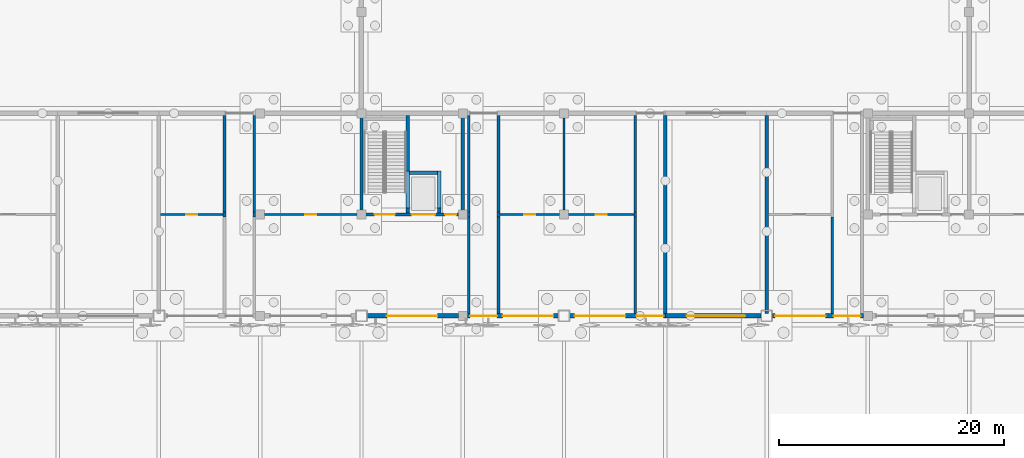
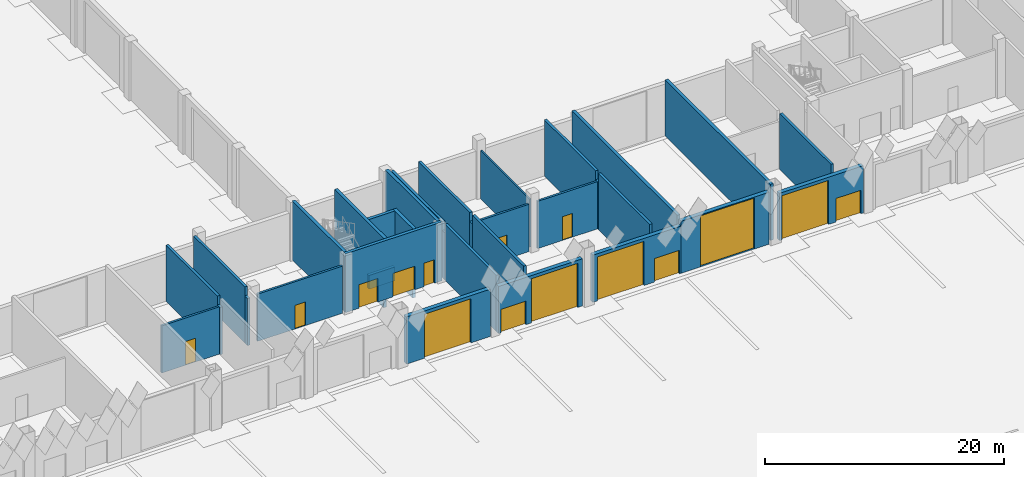
# One storey, part 86 of 198: 35 walls, 15 doors, 15 openings.
"""IFC4 building model written with IfcOpenShell, lengths in metres."""

from ifc_helpers import new_model, si_unit, direction, frame, frame_2d, origin, place, context, subcontext, project, spatial, rectangle, extrude, material, layer, layer_set, type_object, element, fill, save


model = new_model("IFC4")

# Units and contexts
model_context = context("Model", 3, precision=1e-05, world=origin(), true_north=direction((0.0, 1.0)))
body_context = subcontext(model_context, "Body", "Model", "MODEL_VIEW")
ifc_project = project(units=[si_unit("LENGTHUNIT", "METRE"), si_unit("AREAUNIT", "SQUARE_METRE"), si_unit("VOLUMEUNIT", "CUBIC_METRE"), si_unit("PLANEANGLEUNIT", "RADIAN"), si_unit("MASSUNIT", "GRAM", prefix="KILO")], contexts=[model_context])

# Site, building, storey
site_placement = place(None, origin())
site = spatial("IfcSite", under=ifc_project, at=site_placement, CompositionType="ELEMENT")
building_placement = place(site_placement, origin())
building = spatial("IfcBuilding", under=site, at=building_placement, Name="Opaline Strait Convention Centre", CompositionType="ELEMENT")
storey_placement = place(building_placement, origin())
storey = spatial("IfcBuildingStorey", under=building, at=storey_placement, Name="L00", CompositionType="ELEMENT", Elevation=0.0)

# Wall, opening, door
ifc_material_1 = material(Name="Concrete C40", Category="concrete")
ifc_layer_1 = layer(ifc_material_1, 0.25)
ifc_material_2 = material(Name="Mineral wool insulation")
ifc_layer_2 = layer(ifc_material_2, 0.10009765625)
ifc_material_3 = material(Name="Gypsum board lining")
ifc_layer_3 = layer(ifc_material_3, 0.050048828125)
ifc_layer_set_1 = layer_set([ifc_layer_1, ifc_layer_2, ifc_layer_3], Name="Concrete C40, Mineral wool insulation, Gypsum board lining")
wall_type_1 = type_object("IfcWallType", Name="External wall RC 400 insulated", PredefinedType="SOLIDWALL", material=ifc_layer_set_1)
wall_1_placement = place(storey_placement, frame((153.5, 54.0, 0.0), z_axis=(0.0, 0.0, 1.0), x_axis=(1.0, 0.0, 0.0)))
wall_1 = element("IfcWall", 1, at=wall_1_placement, inside=storey, type_object=wall_type_1, Name="External wall S7", PredefinedType="SOLIDWALL", context=body_context, shape_type="SweptSolid", body=[
    extrude(rectangle(XDim=8.10009765625, YDim=0.39990234375, at=frame_2d((4.050048828125, 0.0))), origin(), (0.0, 0.0, 1.0), 4.820068359375),
])
opening_1_placement = place(wall_1_placement, frame((1.75, 0.0, 0.0)))
opening_1 = element("IfcOpeningElement", 2, at=opening_1_placement, cuts=wall_1, Name="Opening X0-017", PredefinedType="OPENING", context=body_context, shape_type="SweptSolid", body=[
    extrude(rectangle(XDim=4.5, YDim=4.5, at=frame_2d((2.25, 2.25))), frame((0.0, 0.2099609375, 0.0), z_axis=(0.0, -1.0, 0.0), x_axis=(1.0, 0.0, 0.0)), (0.0, 0.0, 1.0), 0.419921875),
])
ifc_material_4 = material(Name="Galvanised steel Q235B", Category="steel")
door_type_1 = type_object("IfcDoorType", Name="Dock leveller door 4500 x 4500", OperationType="ROLLINGUP", PredefinedType="DOOR", material=ifc_material_4)
door_1_placement = place(opening_1_placement, origin())
door_1 = element("IfcDoor", 3, at=door_1_placement, inside=storey, type_object=door_type_1, Name="Dock leveller door 8", ObjectType="XD5", OperationType="ROLLINGUP", OverallHeight=4.5, OverallWidth=4.5, PredefinedType="DOOR", context=body_context, shape_type="SweptSolid", body=[
    extrude(rectangle(XDim=4.5, YDim=4.5, at=frame_2d((2.25, 2.25))), frame((0.0, 0.02490234375, 0.0), z_axis=(0.0, -1.0, 0.0), x_axis=(1.0, 0.0, 0.0)), (0.0, 0.0, 1.0), 0.050048828125),
])
fill(opening_1, door_1)

# Wall, openings, doors
wall_2_placement = place(storey_placement, frame((162.39990234375, 54.0, 0.0), z_axis=(0.0, 0.0, 1.0), x_axis=(1.0, 0.0, 0.0)))
wall_2 = element("IfcWall", 4, at=wall_2_placement, inside=storey, type_object=wall_type_1, Name="External wall S8", PredefinedType="SOLIDWALL", context=body_context, shape_type="SweptSolid", body=[
    extrude(rectangle(XDim=8.10009765625, YDim=0.39990234375, at=frame_2d((4.050048828125, 0.0))), origin(), (0.0, 0.0, 1.0), 4.820068359375),
])
opening_2_placement = place(wall_2_placement, frame((3.14990234375, 0.0, 0.0)))
opening_2 = element("IfcOpeningElement", 5, at=opening_2_placement, cuts=wall_2, Name="Opening X0-018", PredefinedType="OPENING", context=body_context, shape_type="SweptSolid", body=[
    extrude(rectangle(XDim=4.5, YDim=4.5, at=frame_2d((2.25, 2.25))), frame((0.0, 0.2099609375, 0.0), z_axis=(0.0, -1.0, 0.0), x_axis=(1.0, 0.0, 0.0)), (0.0, 0.0, 1.0), 0.419921875),
])
opening_3_placement = place(wall_2_placement, frame((0.25, 0.0, 0.0)))
opening_3 = element("IfcOpeningElement", 6, at=opening_3_placement, cuts=wall_2, Name="Opening X0-030", PredefinedType="OPENING", context=body_context, shape_type="SweptSolid", body=[
    extrude(rectangle(XDim=2.39990234375, YDim=2.39990234375, at=frame_2d((1.199951171875, 1.199951171875))), frame((0.0, 0.2099609375, 0.0), z_axis=(0.0, -1.0, 0.0), x_axis=(1.0, 0.0, 0.0)), (0.0, 0.0, 1.0), 0.419921875),
])
door_2_placement = place(opening_2_placement, origin())
door_2 = element("IfcDoor", 7, at=door_2_placement, inside=storey, type_object=door_type_1, Name="Dock leveller door 9", ObjectType="XD5", OperationType="ROLLINGUP", OverallHeight=4.5, OverallWidth=4.5, PredefinedType="DOOR", context=body_context, shape_type="SweptSolid", body=[
    extrude(rectangle(XDim=4.5, YDim=4.5, at=frame_2d((2.25, 2.25))), frame((0.0, 0.02490234375, 0.0), z_axis=(0.0, -1.0, 0.0), x_axis=(1.0, 0.0, 0.0)), (0.0, 0.0, 1.0), 0.050048828125),
])
fill(opening_2, door_2)
ifc_material_5 = material(Name="Steel Q235B", Category="steel")
door_type_2 = type_object("IfcDoorType", Name="Passage exit door pair 2400 x 2400", OperationType="DOUBLE_DOOR_SINGLE_SWING", PredefinedType="DOOR", material=ifc_material_5)
door_3_placement = place(opening_3_placement, frame((2.39990234375, 0.0, 0.0), z_axis=(0.0, 0.0, 1.0), x_axis=(-1.0, 0.0, 0.0)))
door_3 = element("IfcDoor", 8, at=door_3_placement, inside=storey, type_object=door_type_2, Name="Passage exit door 2", ObjectType="XD15", OperationType="DOUBLE_DOOR_SINGLE_SWING", OverallHeight=2.39990234375, OverallWidth=2.39990234375, PredefinedType="DOOR", context=body_context, shape_type="SweptSolid", body=[
    extrude(rectangle(XDim=2.39990234375, YDim=2.39990234375, at=frame_2d((1.199951171875, 1.199951171875))), frame((0.0, 0.02490234375, 0.0), z_axis=(0.0, -1.0, 0.0), x_axis=(1.0, 0.0, 0.0)), (0.0, 0.0, 1.0), 0.050048828125),
])
fill(opening_3, door_3)

wall_3_placement = place(storey_placement, frame((171.5, 54.0, 0.0), z_axis=(0.0, 0.0, 1.0), x_axis=(1.0, 0.0, 0.0)))
wall_3 = element("IfcWall", 9, at=wall_3_placement, inside=storey, type_object=wall_type_1, Name="External wall S9", PredefinedType="SOLIDWALL", context=body_context, shape_type="SweptSolid", body=[
    extrude(rectangle(XDim=8.5, YDim=0.39990234375, at=frame_2d((4.25, 0.0))), origin(), (0.0, 0.0, 1.0), 4.820068359375),
])
opening_4_placement = place(wall_3_placement, frame((0.449951171875, 0.0, 0.0)))
opening_4 = element("IfcOpeningElement", 10, at=opening_4_placement, cuts=wall_3, Name="Opening X0-019", PredefinedType="OPENING", context=body_context, shape_type="SweptSolid", body=[
    extrude(rectangle(XDim=4.5, YDim=4.5, at=frame_2d((2.25, 2.25))), frame((0.0, 0.2099609375, 0.0), z_axis=(0.0, -1.0, 0.0), x_axis=(1.0, 0.0, 0.0)), (0.0, 0.0, 1.0), 0.419921875),
])
opening_5_placement = place(wall_3_placement, frame((5.949951171875, 0.0, 0.0)))
opening_5 = element("IfcOpeningElement", 11, at=opening_5_placement, cuts=wall_3, Name="Opening X0-031", PredefinedType="OPENING", context=body_context, shape_type="SweptSolid", body=[
    extrude(rectangle(XDim=2.39990234375, YDim=2.39990234375, at=frame_2d((1.199951171875, 1.199951171875))), frame((0.0, 0.2099609375, 0.0), z_axis=(0.0, -1.0, 0.0), x_axis=(1.0, 0.0, 0.0)), (0.0, 0.0, 1.0), 0.419921875),
])
door_4_placement = place(opening_4_placement, origin())
door_4 = element("IfcDoor", 12, at=door_4_placement, inside=storey, type_object=door_type_1, Name="Dock leveller door 10", ObjectType="XD5", OperationType="ROLLINGUP", OverallHeight=4.5, OverallWidth=4.5, PredefinedType="DOOR", context=body_context, shape_type="SweptSolid", body=[
    extrude(rectangle(XDim=4.5, YDim=4.5, at=frame_2d((2.25, 2.25))), frame((0.0, 0.02490234375, 0.0), z_axis=(0.0, -1.0, 0.0), x_axis=(1.0, 0.0, 0.0)), (0.0, 0.0, 1.0), 0.050048828125),
])
fill(opening_4, door_4)
door_5_placement = place(opening_5_placement, frame((2.39990234375, 0.0, 0.0), z_axis=(0.0, 0.0, 1.0), x_axis=(-1.0, 0.0, 0.0)))
door_5 = element("IfcDoor", 13, at=door_5_placement, inside=storey, type_object=door_type_2, Name="Passage exit door 3", ObjectType="XD15", OperationType="DOUBLE_DOOR_SINGLE_SWING", OverallHeight=2.39990234375, OverallWidth=2.39990234375, PredefinedType="DOOR", context=body_context, shape_type="SweptSolid", body=[
    extrude(rectangle(XDim=2.39990234375, YDim=2.39990234375, at=frame_2d((1.199951171875, 1.199951171875))), frame((0.0, 0.02490234375, 0.0), z_axis=(0.0, -1.0, 0.0), x_axis=(1.0, 0.0, 0.0)), (0.0, 0.0, 1.0), 0.050048828125),
])
fill(opening_5, door_5)

# Wall, opening, door
wall_4_placement = place(storey_placement, frame((180.0, 54.0, 0.0), z_axis=(0.0, 0.0, 1.0), x_axis=(1.0, 0.0, 0.0)))
wall_4 = element("IfcWall", 14, at=wall_4_placement, inside=storey, type_object=wall_type_1, Name="External wall S10", PredefinedType="SOLIDWALL", context=body_context, shape_type="SweptSolid", body=[
    extrude(rectangle(XDim=8.5, YDim=0.39990234375, at=frame_2d((4.25, 0.0))), origin(), (0.0, 0.0, 1.0), 5.300048828125),
])
opening_6_placement = place(wall_4_placement, frame((1.89990234375, 0.0, 0.0)))
opening_6 = element("IfcOpeningElement", 15, at=opening_6_placement, cuts=wall_4, Name="Opening X0-020", PredefinedType="OPENING", context=body_context, shape_type="SweptSolid", body=[
    extrude(rectangle(XDim=5.199951171875, YDim=5.199951171875, at=frame_2d((2.60009765625, 2.60009765625))), frame((0.0, 0.2099609375, 0.0), z_axis=(0.0, -1.0, 0.0), x_axis=(1.0, 0.0, 0.0)), (0.0, 0.0, 1.0), 0.419921875),
])
door_type_3 = type_object("IfcDoorType", Name="Freight door 5200 x 5200", OperationType="ROLLINGUP", PredefinedType="DOOR", material=ifc_material_4)
door_6_placement = place(opening_6_placement, origin())
door_6 = element("IfcDoor", 16, at=door_6_placement, inside=storey, type_object=door_type_3, Name="Freight door tunnel 11", ObjectType="XD4", OperationType="ROLLINGUP", OverallHeight=5.199951171875, OverallWidth=5.199951171875, PredefinedType="DOOR", context=body_context, shape_type="SweptSolid", body=[
    extrude(rectangle(XDim=5.199951171875, YDim=5.199951171875, at=frame_2d((2.60009765625, 2.60009765625))), frame((0.0, 0.02490234375, 0.0), z_axis=(0.0, -1.0, 0.0), x_axis=(1.0, 0.0, 0.0)), (0.0, 0.0, 1.0), 0.050048828125),
])
fill(opening_6, door_6)

# Wall, openings, doors
wall_5_placement = place(storey_placement, frame((189.5, 54.0, 0.0), z_axis=(0.0, 0.0, 1.0), x_axis=(1.0, 0.0, 0.0)))
wall_5 = element("IfcWall", 17, at=wall_5_placement, inside=storey, type_object=wall_type_1, Name="External wall S11", PredefinedType="SOLIDWALL", context=body_context, shape_type="SweptSolid", body=[
    extrude(rectangle(XDim=8.10009765625, YDim=0.39990234375, at=frame_2d((4.050048828125, 0.0))), origin(), (0.0, 0.0, 1.0), 4.820068359375),
])
opening_7_placement = place(wall_5_placement, frame((0.25, 0.0, 0.0)))
opening_7 = element("IfcOpeningElement", 18, at=opening_7_placement, cuts=wall_5, Name="Opening X0-021", PredefinedType="OPENING", context=body_context, shape_type="SweptSolid", body=[
    extrude(rectangle(XDim=4.5, YDim=4.5, at=frame_2d((2.25, 2.25))), frame((0.0, 0.2099609375, 0.0), z_axis=(0.0, -1.0, 0.0), x_axis=(1.0, 0.0, 0.0)), (0.0, 0.0, 1.0), 0.419921875),
])
opening_8_placement = place(wall_5_placement, frame((5.449951171875, 0.0, 0.0)))
opening_8 = element("IfcOpeningElement", 19, at=opening_8_placement, cuts=wall_5, Name="Opening X0-032", PredefinedType="OPENING", context=body_context, shape_type="SweptSolid", body=[
    extrude(rectangle(XDim=2.39990234375, YDim=2.39990234375, at=frame_2d((1.199951171875, 1.199951171875))), frame((0.0, 0.2099609375, 0.0), z_axis=(0.0, -1.0, 0.0), x_axis=(1.0, 0.0, 0.0)), (0.0, 0.0, 1.0), 0.419921875),
])
door_7_placement = place(opening_7_placement, origin())
door_7 = element("IfcDoor", 20, at=door_7_placement, inside=storey, type_object=door_type_1, Name="Dock leveller door 12", ObjectType="XD5", OperationType="ROLLINGUP", OverallHeight=4.5, OverallWidth=4.5, PredefinedType="DOOR", context=body_context, shape_type="SweptSolid", body=[
    extrude(rectangle(XDim=4.5, YDim=4.5, at=frame_2d((2.25, 2.25))), frame((0.0, 0.02490234375, 0.0), z_axis=(0.0, -1.0, 0.0), x_axis=(1.0, 0.0, 0.0)), (0.0, 0.0, 1.0), 0.050048828125),
])
fill(opening_7, door_7)
door_8_placement = place(opening_8_placement, frame((2.39990234375, 0.0, 0.0), z_axis=(0.0, 0.0, 1.0), x_axis=(-1.0, 0.0, 0.0)))
door_8 = element("IfcDoor", 21, at=door_8_placement, inside=storey, type_object=door_type_2, Name="Passage exit door 4", ObjectType="XD15", OperationType="DOUBLE_DOOR_SINGLE_SWING", OverallHeight=2.39990234375, OverallWidth=2.39990234375, PredefinedType="DOOR", context=body_context, shape_type="SweptSolid", body=[
    extrude(rectangle(XDim=2.39990234375, YDim=2.39990234375, at=frame_2d((1.199951171875, 1.199951171875))), frame((0.0, 0.02490234375, 0.0), z_axis=(0.0, -1.0, 0.0), x_axis=(1.0, 0.0, 0.0)), (0.0, 0.0, 1.0), 0.050048828125),
])
fill(opening_8, door_8)

# Walls
ifc_layer_4 = layer(ifc_material_1, 0.300048828125)
ifc_layer_set_2 = layer_set([ifc_layer_4], Name="Concrete C40")
wall_type_2 = type_object("IfcWallType", Name="Lift pit wall RC 300 C40", PredefinedType="SHEAR", material=ifc_layer_set_2)
for number, where, z_axis, x_axis, name in (
    (22, (157.10009765625, 63.60009765625, -1.39990234375), (0.0, 0.0, 1.0), (0.0, 1.0, 0.0), "EXB-LPW-2-W"),
    (23, (159.89990234375, 63.60009765625, -1.39990234375), (0.0, 0.0, 1.0), (0.0, 1.0, 0.0), "EXB-LPW-2-E"),
):
    element("IfcWall", number, at=place(storey_placement, frame(where, z_axis=z_axis, x_axis=x_axis)), inside=storey, type_object=wall_type_2, Name=name, PredefinedType="SHEAR", context=body_context, shape_type="SweptSolid", body=[
        extrude(rectangle(XDim=3.25, YDim=0.300048828125, at=frame_2d((1.625, 0.0))), origin(), (0.0, 0.0, 1.0), 1.39990234375),
    ])
wall_6_placement = place(storey_placement, frame((157.25, 66.699951171875, -1.39990234375), z_axis=(0.0, 0.0, 1.0), x_axis=(1.0, 0.0, 0.0)))
element("IfcWall", 24, at=wall_6_placement, inside=storey, type_object=wall_type_2, Name="EXB-LPW-2-N", PredefinedType="SHEAR", context=body_context, shape_type="SweptSolid", body=[
    extrude(rectangle(XDim=2.5, YDim=0.300048828125, at=frame_2d((1.25, 0.0))), origin(), (0.0, 0.0, 1.0), 1.39990234375),
])
ifc_layer_5 = layer(ifc_material_1, 0.300048828125)
ifc_layer_set_3 = layer_set([ifc_layer_5], Name="Concrete C40")
wall_type_3 = type_object("IfcWallType", Name="Lift shaft wall RC 300 C40", PredefinedType="SHEAR", material=ifc_layer_set_3)
wall_7_placement = place(storey_placement, frame((157.10009765625, 63.14990234375, 0.0), z_axis=(0.0, 0.0, 1.0), x_axis=(0.0, 1.0, 0.0)))
element("IfcWall", 25, at=wall_7_placement, inside=storey, type_object=wall_type_3, Name="EXB-LS-2-W1-L00", PredefinedType="SHEAR", context=body_context, shape_type="SweptSolid", body=[
    extrude(rectangle(XDim=8.650146484375, YDim=0.300048828125, at=frame_2d((4.3251953125, 0.0))), origin(), (0.0, 0.0, 1.0), 5.719970703125),
])
wall_8_placement = place(storey_placement, frame((159.89990234375, 63.14990234375, 0.0), z_axis=(0.0, 0.0, 1.0), x_axis=(0.0, 1.0, 0.0)))
element("IfcWall", 26, at=wall_8_placement, inside=storey, type_object=wall_type_3, Name="EXB-LS-2-W2-L00", PredefinedType="SHEAR", context=body_context, shape_type="SweptSolid", body=[
    extrude(rectangle(XDim=3.7001953125, YDim=0.300048828125, at=frame_2d((1.85009765625, 0.0))), origin(), (0.0, 0.0, 1.0), 5.719970703125),
])
wall_9_placement = place(storey_placement, frame((157.25, 66.699951171875, 0.0), z_axis=(0.0, 0.0, 1.0), x_axis=(1.0, 0.0, 0.0)))
element("IfcWall", 27, at=wall_9_placement, inside=storey, type_object=wall_type_3, Name="EXB-LS-2-N-L00", PredefinedType="SHEAR", context=body_context, shape_type="SweptSolid", body=[
    extrude(rectangle(XDim=2.5, YDim=0.300048828125, at=frame_2d((1.25, 0.0))), origin(), (0.0, 0.0, 1.0), 5.719970703125),
])
ifc_material_6 = material(Name="Lightweight blockwork", Category="masonry")
ifc_layer_6 = layer(ifc_material_6, 0.25)
ifc_layer_set_4 = layer_set([ifc_layer_6], Name="Lightweight blockwork")
wall_type_4 = type_object("IfcWallType", Name="Partition EI 120 blockwork 250", PredefinedType="PARTITIONING", material=ifc_layer_set_4)
wall_10_placement = place(storey_placement, frame((140.824951171875, 62.77490234375, 0.0), z_axis=(0.0, 0.0, 1.0), x_axis=(0.0, 1.0, 0.0)))
element("IfcWall", 28, at=wall_10_placement, inside=storey, type_object=wall_type_4, Name="Exit passage 1 wall", PredefinedType="PARTITIONING", context=body_context, shape_type="SweptSolid", body=[
    extrude(rectangle(XDim=0.4501953125, YDim=0.25, at=frame_2d((0.22509765625, 0.0))), origin(), (0.0, 0.0, 1.0), 4.820068359375),
])
wall_11_placement = place(storey_placement, frame((140.824951171875, 63.22509765625, 0.0), z_axis=(0.0, 0.0, 1.0), x_axis=(0.0, 1.0, 0.0)))
element("IfcWall", 29, at=wall_11_placement, inside=storey, type_object=wall_type_4, Name="Exit passage 1 wall", PredefinedType="PARTITIONING", context=body_context, shape_type="SweptSolid", body=[
    extrude(rectangle(XDim=8.574951171875, YDim=0.25, at=frame_2d((4.28759765625, 0.0))), origin(), (0.0, 0.0, 1.0), 5.719970703125),
])
wall_12_placement = place(storey_placement, frame((143.47509765625, 62.77490234375, 0.0), z_axis=(0.0, 0.0, 1.0), x_axis=(0.0, 1.0, 0.0)))
element("IfcWall", 30, at=wall_12_placement, inside=storey, type_object=wall_type_4, Name="Exit passage 1 wall", PredefinedType="PARTITIONING", context=body_context, shape_type="SweptSolid", body=[
    extrude(rectangle(XDim=0.4501953125, YDim=0.25, at=frame_2d((0.22509765625, 0.0))), origin(), (0.0, 0.0, 1.0), 4.820068359375),
])
for number, where, z_axis, x_axis, name in (
    (31, (143.47509765625, 63.22509765625, 0.0), (0.0, 0.0, 1.0), (0.0, 1.0, 0.0), "Exit passage 1 wall"),
    (32, (162.52490234375, 54.199951171875, 0.0), (0.0, 0.0, 1.0), (0.0, 1.0, 0.0), "Exit passage 2 wall"),
):
    element("IfcWall", number, at=place(storey_placement, frame(where, z_axis=z_axis, x_axis=x_axis)), inside=storey, type_object=wall_type_4, Name=name, PredefinedType="PARTITIONING", context=body_context, shape_type="SweptSolid", body=[
        extrude(rectangle(XDim=8.574951171875, YDim=0.25, at=frame_2d((4.28759765625, 0.0))), origin(), (0.0, 0.0, 1.0), 5.719970703125),
    ])
wall_13_placement = place(storey_placement, frame((162.52490234375, 62.77490234375, 0.0), z_axis=(0.0, 0.0, 1.0), x_axis=(0.0, 1.0, 0.0)))
element("IfcWall", 33, at=wall_13_placement, inside=storey, type_object=wall_type_4, Name="Exit passage 2 wall", PredefinedType="PARTITIONING", context=body_context, shape_type="SweptSolid", body=[
    extrude(rectangle(XDim=0.4501953125, YDim=0.25, at=frame_2d((0.22509765625, 0.0))), origin(), (0.0, 0.0, 1.0), 4.820068359375),
])
for number, where, z_axis, x_axis, name in (
    (34, (162.52490234375, 63.22509765625, 0.0), (0.0, 0.0, 1.0), (0.0, 1.0, 0.0), "Exit passage 2 wall"),
    (35, (165.175048828125, 54.199951171875, 0.0), (0.0, 0.0, 1.0), (0.0, 1.0, 0.0), "Exit passage 2 wall"),
):
    element("IfcWall", number, at=place(storey_placement, frame(where, z_axis=z_axis, x_axis=x_axis)), inside=storey, type_object=wall_type_4, Name=name, PredefinedType="PARTITIONING", context=body_context, shape_type="SweptSolid", body=[
        extrude(rectangle(XDim=8.574951171875, YDim=0.25, at=frame_2d((4.28759765625, 0.0))), origin(), (0.0, 0.0, 1.0), 5.719970703125),
    ])
wall_14_placement = place(storey_placement, frame((165.175048828125, 62.77490234375, 0.0), z_axis=(0.0, 0.0, 1.0), x_axis=(0.0, 1.0, 0.0)))
element("IfcWall", 36, at=wall_14_placement, inside=storey, type_object=wall_type_4, Name="Exit passage 2 wall", PredefinedType="PARTITIONING", context=body_context, shape_type="SweptSolid", body=[
    extrude(rectangle(XDim=0.4501953125, YDim=0.25, at=frame_2d((0.22509765625, 0.0))), origin(), (0.0, 0.0, 1.0), 4.820068359375),
])
for number, where, z_axis, x_axis, name in (
    (37, (165.175048828125, 63.22509765625, 0.0), (0.0, 0.0, 1.0), (0.0, 1.0, 0.0), "Exit passage 2 wall"),
    (38, (177.324951171875, 54.199951171875, 0.0), (0.0, 0.0, 1.0), (0.0, 1.0, 0.0), "Exit passage 3 wall"),
):
    element("IfcWall", number, at=place(storey_placement, frame(where, z_axis=z_axis, x_axis=x_axis)), inside=storey, type_object=wall_type_4, Name=name, PredefinedType="PARTITIONING", context=body_context, shape_type="SweptSolid", body=[
        extrude(rectangle(XDim=8.574951171875, YDim=0.25, at=frame_2d((4.28759765625, 0.0))), origin(), (0.0, 0.0, 1.0), 5.719970703125),
    ])
wall_15_placement = place(storey_placement, frame((177.324951171875, 62.77490234375, 0.0), z_axis=(0.0, 0.0, 1.0), x_axis=(0.0, 1.0, 0.0)))
element("IfcWall", 39, at=wall_15_placement, inside=storey, type_object=wall_type_4, Name="Exit passage 3 wall", PredefinedType="PARTITIONING", context=body_context, shape_type="SweptSolid", body=[
    extrude(rectangle(XDim=0.4501953125, YDim=0.25, at=frame_2d((0.22509765625, 0.0))), origin(), (0.0, 0.0, 1.0), 4.820068359375),
])
for number, where, z_axis, x_axis, name in (
    (40, (177.324951171875, 63.22509765625, 0.0), (0.0, 0.0, 1.0), (0.0, 1.0, 0.0), "Exit passage 3 wall"),
    (41, (194.824951171875, 54.199951171875, 0.0), (0.0, 0.0, 1.0), (0.0, 1.0, 0.0), "Exit passage 4 wall"),
):
    element("IfcWall", number, at=place(storey_placement, frame(where, z_axis=z_axis, x_axis=x_axis)), inside=storey, type_object=wall_type_4, Name=name, PredefinedType="PARTITIONING", context=body_context, shape_type="SweptSolid", body=[
        extrude(rectangle(XDim=8.574951171875, YDim=0.25, at=frame_2d((4.28759765625, 0.0))), origin(), (0.0, 0.0, 1.0), 5.719970703125),
    ])
ifc_layer_7 = layer(ifc_material_6, 0.14990234375)
ifc_layer_set_5 = layer_set([ifc_layer_7], Name="Lightweight blockwork")
wall_type_5 = type_object("IfcWallType", Name="Partition EI 45 blockwork 150", PredefinedType="PARTITIONING", material=ifc_layer_set_5)
wall_16_placement = place(storey_placement, frame((171.0, 63.39990234375, 0.0), z_axis=(0.0, 0.0, 1.0), x_axis=(0.0, 1.0, 0.0)))
element("IfcWall", 42, at=wall_16_placement, inside=storey, type_object=wall_type_5, Name="Back row partition", PredefinedType="PARTITIONING", context=body_context, shape_type="SweptSolid", body=[
    extrude(rectangle(XDim=8.2001953125, YDim=0.14990234375, at=frame_2d((4.10009765625, 0.0))), origin(), (0.0, 0.0, 1.0), 4.919921875),
])

# Wall, opening, door
ifc_layer_8 = layer(ifc_material_6, 0.199951171875)
ifc_layer_set_6 = layer_set([ifc_layer_8], Name="Lightweight blockwork")
wall_type_6 = type_object("IfcWallType", Name="Partition EI 60 blockwork 200", PredefinedType="PARTITIONING", material=ifc_layer_set_6)
wall_17_placement = place(storey_placement, frame((135.14990234375, 63.0, 0.0), z_axis=(0.0, 0.0, 1.0), x_axis=(1.0, 0.0, 0.0)))
wall_17 = element("IfcWall", 43, at=wall_17_placement, inside=storey, type_object=wall_type_6, Name="Dock wall to the back row", PredefinedType="PARTITIONING", context=body_context, shape_type="SweptSolid", body=[
    extrude(rectangle(XDim=5.550048828125, YDim=0.199951171875, at=frame_2d((2.77490234375, 0.0))), origin(), (0.0, 0.0, 1.0), 4.820068359375),
])
opening_9_placement = place(wall_17_placement, frame((2.27490234375, 0.0, 0.014892578125)))
opening_9 = element("IfcOpeningElement", 44, at=opening_9_placement, cuts=wall_17, Name="Opening X0-092", PredefinedType="OPENING", context=body_context, shape_type="SweptSolid", body=[
    extrude(rectangle(XDim=1.0, YDim=2.39990234375, at=frame_2d((0.5, 1.199951171875))), frame((0.0, 0.10986328125, 0.0), z_axis=(0.0, -1.0, 0.0), x_axis=(1.0, 0.0, 0.0)), (0.0, 0.0, 1.0), 0.219970703125),
])
door_type_4 = type_object("IfcDoorType", Name="Single door FD30 1000 x 2400", OperationType="SINGLE_SWING_LEFT", PredefinedType="DOOR", material=ifc_material_5)
door_9_placement = place(opening_9_placement, origin())
door_9 = element("IfcDoor", 45, at=door_9_placement, inside=storey, type_object=door_type_4, Name="Exhibitor Store West 1 door", ObjectType="XD8", OperationType="SINGLE_SWING_LEFT", OverallHeight=2.39990234375, OverallWidth=1.0, PredefinedType="DOOR", context=body_context, shape_type="SweptSolid", body=[
    extrude(rectangle(XDim=1.0, YDim=2.39990234375, at=frame_2d((0.5, 1.199951171875))), frame((0.0, 0.02490234375, 0.0), z_axis=(0.0, -1.0, 0.0), x_axis=(1.0, 0.0, 0.0)), (0.0, 0.0, 1.0), 0.050048828125),
])
fill(opening_9, door_9)

wall_18_placement = place(storey_placement, frame((144.39990234375, 63.0, 0.0), z_axis=(0.0, 0.0, 1.0), x_axis=(1.0, 0.0, 0.0)))
wall_18 = element("IfcWall", 46, at=wall_18_placement, inside=storey, type_object=wall_type_6, Name="Dock wall to the back row", PredefinedType="PARTITIONING", context=body_context, shape_type="SweptSolid", body=[
    extrude(rectangle(XDim=8.2001953125, YDim=0.199951171875, at=frame_2d((4.10009765625, 0.0))), origin(), (0.0, 0.0, 1.0), 4.820068359375),
])
opening_10_placement = place(wall_18_placement, frame((3.60009765625, 0.0, 0.014892578125)))
opening_10 = element("IfcOpeningElement", 47, at=opening_10_placement, cuts=wall_18, Name="Opening X0-093", PredefinedType="OPENING", context=body_context, shape_type="SweptSolid", body=[
    extrude(rectangle(XDim=1.0, YDim=2.39990234375, at=frame_2d((0.5, 1.199951171875))), frame((0.0, 0.10986328125, 0.0), z_axis=(0.0, -1.0, 0.0), x_axis=(1.0, 0.0, 0.0)), (0.0, 0.0, 1.0), 0.219970703125),
])
door_10_placement = place(opening_10_placement, origin())
door_10 = element("IfcDoor", 48, at=door_10_placement, inside=storey, type_object=door_type_4, Name="Exhibitor Store West 2 door", ObjectType="XD8", OperationType="SINGLE_SWING_RIGHT", OverallHeight=2.39990234375, OverallWidth=1.0, PredefinedType="DOOR", context=body_context, shape_type="SweptSolid", body=[
    extrude(rectangle(XDim=1.0, YDim=2.39990234375, at=frame_2d((0.5, 1.199951171875))), frame((0.0, 0.02490234375, 0.0), z_axis=(0.0, -1.0, 0.0), x_axis=(1.0, 0.0, 0.0)), (0.0, 0.0, 1.0), 0.050048828125),
])
fill(opening_10, door_10)

wall_19_placement = place(storey_placement, frame((165.300048828125, 63.0, 0.0), z_axis=(0.0, 0.0, 1.0), x_axis=(1.0, 0.0, 0.0)))
wall_19 = element("IfcWall", 49, at=wall_19_placement, inside=storey, type_object=wall_type_6, Name="Dock wall to the back row", PredefinedType="PARTITIONING", context=body_context, shape_type="SweptSolid", body=[
    extrude(rectangle(XDim=5.300048828125, YDim=0.199951171875, at=frame_2d((2.64990234375, 0.0))), origin(), (0.0, 0.0, 1.0), 4.820068359375),
])
opening_11_placement = place(wall_19_placement, frame((2.14990234375, 0.0, 0.014892578125)))
opening_11 = element("IfcOpeningElement", 50, at=opening_11_placement, cuts=wall_19, Name="Opening X0-094", PredefinedType="OPENING", context=body_context, shape_type="SweptSolid", body=[
    extrude(rectangle(XDim=1.0, YDim=2.39990234375, at=frame_2d((0.5, 1.199951171875))), frame((0.0, 0.10986328125, 0.0), z_axis=(0.0, -1.0, 0.0), x_axis=(1.0, 0.0, 0.0)), (0.0, 0.0, 1.0), 0.219970703125),
])
door_11_placement = place(opening_11_placement, origin())
door_11 = element("IfcDoor", 51, at=door_11_placement, inside=storey, type_object=door_type_4, Name="Waste Room door", ObjectType="XD8", OperationType="SINGLE_SWING_LEFT", OverallHeight=2.39990234375, OverallWidth=1.0, PredefinedType="DOOR", context=body_context, shape_type="SweptSolid", body=[
    extrude(rectangle(XDim=1.0, YDim=2.39990234375, at=frame_2d((0.5, 1.199951171875))), frame((0.0, 0.02490234375, 0.0), z_axis=(0.0, -1.0, 0.0), x_axis=(1.0, 0.0, 0.0)), (0.0, 0.0, 1.0), 0.050048828125),
])
fill(opening_11, door_11)

wall_20_placement = place(storey_placement, frame((171.39990234375, 63.0, 0.0), z_axis=(0.0, 0.0, 1.0), x_axis=(1.0, 0.0, 0.0)))
wall_20 = element("IfcWall", 52, at=wall_20_placement, inside=storey, type_object=wall_type_6, Name="Dock wall to the back row", PredefinedType="PARTITIONING", context=body_context, shape_type="SweptSolid", body=[
    extrude(rectangle(XDim=5.800048828125, YDim=0.199951171875, at=frame_2d((2.89990234375, 0.0))), origin(), (0.0, 0.0, 1.0), 4.820068359375),
])
opening_12_placement = place(wall_20_placement, frame((2.39990234375, 0.0, 0.014892578125)))
opening_12 = element("IfcOpeningElement", 53, at=opening_12_placement, cuts=wall_20, Name="Opening X0-095", PredefinedType="OPENING", context=body_context, shape_type="SweptSolid", body=[
    extrude(rectangle(XDim=1.0, YDim=2.39990234375, at=frame_2d((0.5, 1.199951171875))), frame((0.0, 0.10986328125, 0.0), z_axis=(0.0, -1.0, 0.0), x_axis=(1.0, 0.0, 0.0)), (0.0, 0.0, 1.0), 0.219970703125),
])
door_12_placement = place(opening_12_placement, origin())
door_12 = element("IfcDoor", 54, at=door_12_placement, inside=storey, type_object=door_type_4, Name="Cleaners Store door", ObjectType="XD8", OperationType="SINGLE_SWING_LEFT", OverallHeight=2.39990234375, OverallWidth=1.0, PredefinedType="DOOR", context=body_context, shape_type="SweptSolid", body=[
    extrude(rectangle(XDim=1.0, YDim=2.39990234375, at=frame_2d((0.5, 1.199951171875))), frame((0.0, 0.02490234375, 0.0), z_axis=(0.0, -1.0, 0.0), x_axis=(1.0, 0.0, 0.0)), (0.0, 0.0, 1.0), 0.050048828125),
])
fill(opening_12, door_12)

# Wall, openings, doors
ifc_layer_9 = layer(ifc_material_1, 0.300048828125)
ifc_layer_set_7 = layer_set([ifc_layer_9], Name="Concrete C40")
wall_type_7 = type_object("IfcWallType", Name="RC core wall 300 C40", PredefinedType="SHEAR", material=ifc_layer_set_7)
wall_21_placement = place(storey_placement, frame((152.85009765625, 63.0, 0.0), z_axis=(0.0, 0.0, 1.0), x_axis=(1.0, 0.0, 0.0)))
wall_21 = element("IfcWall", 55, at=wall_21_placement, inside=storey, type_object=wall_type_7, Name="Core 2 wall S", PredefinedType="SHEAR", context=body_context, shape_type="SweptSolid", body=[
    extrude(rectangle(XDim=9.2998046875, YDim=0.300048828125, at=frame_2d((4.64990234375, 0.0))), origin(), (0.0, 0.0, 1.0), 6.0),
])
opening_13_placement = place(wall_21_placement, frame((1.324951171875, 0.0, 0.0)))
opening_13 = element("IfcOpeningElement", 56, at=opening_13_placement, cuts=wall_21, Name="Opening X0-103", PredefinedType="OPENING", context=body_context, shape_type="SweptSolid", body=[
    extrude(rectangle(XDim=1.800048828125, YDim=2.39990234375, at=frame_2d((0.89990234375, 1.199951171875))), frame((0.0, 0.159912109375, 0.0), z_axis=(0.0, -1.0, 0.0), x_axis=(1.0, 0.0, 0.0)), (0.0, 0.0, 1.0), 0.320068359375),
])
opening_14_placement = place(wall_21_placement, frame((4.60009765625, 0.0, 0.0)))
opening_14 = element("IfcOpeningElement", 57, at=opening_14_placement, cuts=wall_21, Name="Opening XLD2-0", PredefinedType="OPENING", context=body_context, shape_type="SweptSolid", body=[
    extrude(rectangle(XDim=2.10009765625, YDim=2.39990234375, at=frame_2d((1.050048828125, 1.199951171875))), frame((0.0, 0.159912109375, 0.0), z_axis=(0.0, -1.0, 0.0), x_axis=(1.0, 0.0, 0.0)), (0.0, 0.0, 1.0), 0.320068359375),
])
opening_15_placement = place(wall_21_placement, frame((7.574951171875, 0.0, 0.0)))
opening_15 = element("IfcOpeningElement", 58, at=opening_15_placement, cuts=wall_21, Name="Opening X0-104", PredefinedType="OPENING", context=body_context, shape_type="SweptSolid", body=[
    extrude(rectangle(XDim=1.0, YDim=2.39990234375, at=frame_2d((0.5, 1.199951171875))), frame((0.0, 0.159912109375, 0.0), z_axis=(0.0, -1.0, 0.0), x_axis=(1.0, 0.0, 0.0)), (0.0, 0.0, 1.0), 0.320068359375),
])
ifc_material_7 = material(Name="Stainless steel 304", Category="steel")
door_type_5 = type_object("IfcDoorType", Name="Lift landing door 2100 x 2400", OperationType="DOUBLE_DOOR_SLIDING", PredefinedType="DOOR", material=ifc_material_7)
door_13_placement = place(opening_14_placement, origin())
door_13 = element("IfcDoor", 59, at=door_13_placement, inside=storey, type_object=door_type_5, Name="Goods lift 2 landing door L00", ObjectType="XLD", OperationType="DOUBLE_DOOR_SLIDING", OverallHeight=2.39990234375, OverallWidth=2.10009765625, PredefinedType="DOOR", context=body_context, shape_type="SweptSolid", body=[
    extrude(rectangle(XDim=2.10009765625, YDim=2.39990234375, at=frame_2d((1.050048828125, 1.199951171875))), frame((0.0, 0.02490234375, 0.0), z_axis=(0.0, -1.0, 0.0), x_axis=(1.0, 0.0, 0.0)), (0.0, 0.0, 1.0), 0.050048828125),
])
fill(opening_14, door_13)
door_14_placement = place(opening_15_placement, origin())
door_14 = element("IfcDoor", 60, at=door_14_placement, inside=storey, type_object=door_type_4, Name="Services riser 2 door L00", ObjectType="XD8", OperationType="SINGLE_SWING_RIGHT", OverallHeight=2.39990234375, OverallWidth=1.0, PredefinedType="DOOR", context=body_context, shape_type="SweptSolid", body=[
    extrude(rectangle(XDim=1.0, YDim=2.39990234375, at=frame_2d((0.5, 1.199951171875))), frame((0.0, 0.02490234375, 0.0), z_axis=(0.0, -1.0, 0.0), x_axis=(1.0, 0.0, 0.0)), (0.0, 0.0, 1.0), 0.050048828125),
])
fill(opening_15, door_14)
door_type_6 = type_object("IfcDoorType", Name="Stair door pair FD60 1800 x 2400", OperationType="DOUBLE_DOOR_SINGLE_SWING", PredefinedType="DOOR", material=ifc_material_5)
door_15_placement = place(opening_13_placement, frame((1.800048828125, 0.0, 0.0), z_axis=(0.0, 0.0, 1.0), x_axis=(-1.0, 0.0, 0.0)))
door_15 = element("IfcDoor", 61, at=door_15_placement, inside=storey, type_object=door_type_6, Name="Stair 2 door L00", ObjectType="XD7", OperationType="DOUBLE_DOOR_SINGLE_SWING", OverallHeight=2.39990234375, OverallWidth=1.800048828125, PredefinedType="DOOR", context=body_context, shape_type="SweptSolid", body=[
    extrude(rectangle(XDim=1.800048828125, YDim=2.39990234375, at=frame_2d((0.89990234375, 1.199951171875))), frame((0.0, 0.02490234375, 0.0), z_axis=(0.0, -1.0, 0.0), x_axis=(1.0, 0.0, 0.0)), (0.0, 0.0, 1.0), 0.050048828125),
])
fill(opening_13, door_15)

# Walls
for number, where, z_axis, x_axis, name in (
    (62, (153.0, 63.14990234375, 0.0), (0.0, 0.0, 1.0), (0.0, 1.0, 0.0), "Core 2 wall W"),
    (63, (162.0, 63.14990234375, 0.0), (0.0, 0.0, 1.0), (0.0, 1.0, 0.0), "Core 2 wall E"),
):
    element("IfcWall", number, at=place(storey_placement, frame(where, z_axis=z_axis, x_axis=x_axis)), inside=storey, type_object=wall_type_7, Name=name, PredefinedType="SHEAR", context=body_context, shape_type="SweptSolid", body=[
        extrude(rectangle(XDim=8.650146484375, YDim=0.300048828125, at=frame_2d((4.3251953125, 0.0))), origin(), (0.0, 0.0, 1.0), 6.0),
    ])
ifc_layer_10 = layer(ifc_material_1, 0.300048828125)
ifc_layer_set_8 = layer_set([ifc_layer_10], Name="Concrete C40")
wall_type_8 = type_object("IfcWallType", Name="RC tunnel wall 300 C40", PredefinedType="SOLIDWALL", material=ifc_layer_set_8)
for number, where, z_axis, x_axis, name in (
    (64, (180.0, 54.199951171875, 0.0), (0.0, 0.0, 1.0), (0.0, 1.0, 0.0), "Truck tunnel 2 wall at 180"),
    (65, (189.0, 54.199951171875, 0.0), (0.0, 0.0, 1.0), (0.0, 1.0, 0.0), "Truck tunnel 2 wall at 189"),
):
    element("IfcWall", number, at=place(storey_placement, frame(where, z_axis=z_axis, x_axis=x_axis)), inside=storey, type_object=wall_type_8, Name=name, PredefinedType="SOLIDWALL", context=body_context, shape_type="SweptSolid", body=[
        extrude(rectangle(XDim=17.60009765625, YDim=0.300048828125, at=frame_2d((8.800048828125, 0.0))), origin(), (0.0, 0.0, 1.0), 5.719970703125),
    ])

save(model, "model.ifc")
